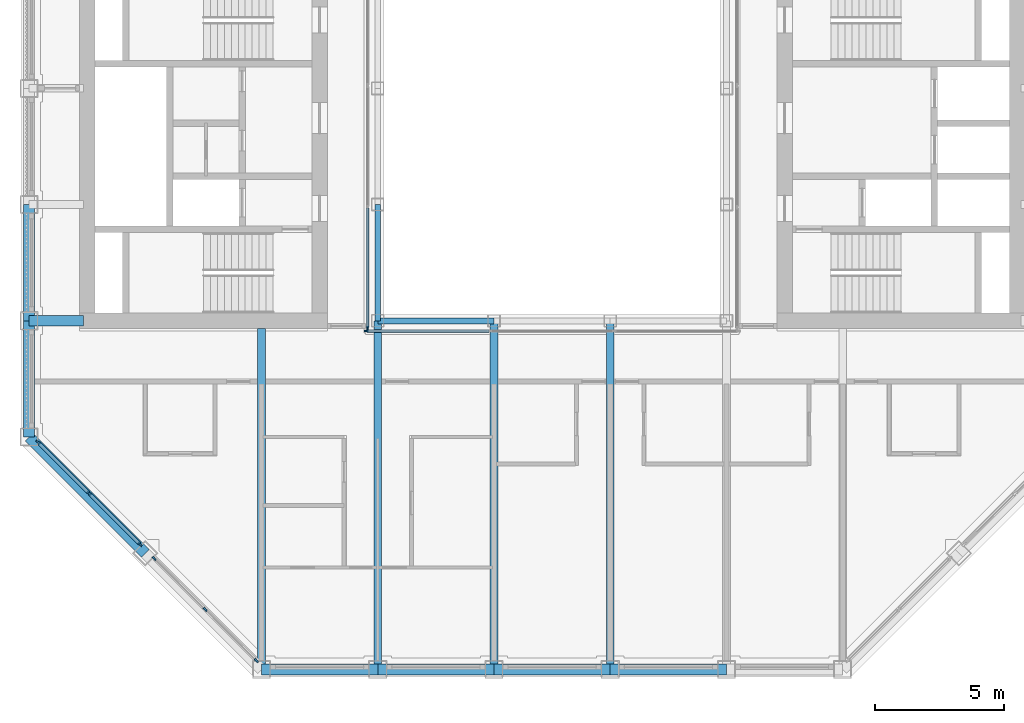
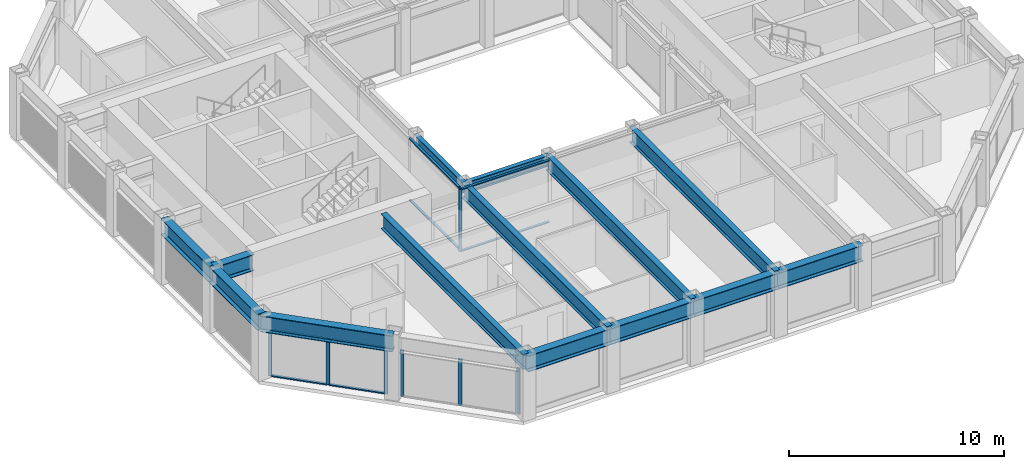
# One storey, part 2 of 18: 16 members, 14 beams, 4 elements without a shape of their own.
"""IFC4 building model written with IfcOpenShell, lengths in metres."""

from ifc_helpers import new_model, si_unit, direction, frame, origin, origin_2d, place, context, subcontext, project, spatial, rectangle, i_section, extrude, material, material_profile, profile_set, type_object, element, aggregate, save


model = new_model("IFC4")

# Units and contexts
model_context = context("Model", 3, precision=1e-05, world=origin(), true_north=direction((0.0, 1.0)))
body_context = subcontext(model_context, "Body", "Model", "MODEL_VIEW")
ifc_project = project(units=[si_unit("LENGTHUNIT", "METRE"), si_unit("AREAUNIT", "SQUARE_METRE"), si_unit("VOLUMEUNIT", "CUBIC_METRE"), si_unit("PLANEANGLEUNIT", "RADIAN"), si_unit("MASSUNIT", "GRAM", prefix="KILO")], contexts=[model_context])

# Site, building, storey
site_placement = place(None, origin())
site = spatial("IfcSite", under=ifc_project, at=site_placement, CompositionType="ELEMENT")
building_placement = place(site_placement, origin())
building = spatial("IfcBuilding", under=site, at=building_placement, Name="Msasa Ring Tower", CompositionType="ELEMENT")
storey_placement = place(building_placement, frame((0.0, 0.0, 227.050048828125)))
storey = spatial("IfcBuildingStorey", under=building, at=storey_placement, Name="L59", CompositionType="ELEMENT", Elevation=227.050048828125)

# Curtain wall, members
ifc_material_1 = material(Name="Aluminium curtain wall with clear glass", Category="aluminium")
curtain_wall_type_1 = type_object("IfcCurtainWallType", Name="CW-C CHAMFER CORNER CURTAIN WALL", PredefinedType="NOTDEFINED", material=ifc_material_1)
curtain_wall_1_placement = place(storey_placement, origin())
curtain_wall_1 = element("IfcCurtainWall", 1, at=curtain_wall_1_placement, inside=storey, type_object=curtain_wall_type_1, Name="Chamfer corner curtain wall SW L59", PredefinedType="NOTDEFINED")
ifc_material_2 = material(Name="Aluminium mullion", Category="aluminium")
ifc_material_profile_1 = material_profile(ifc_material_2, rectangle(XDim=0.06494140625, YDim=0.179931640625, at=origin_2d()), Name="AL 65x180")
ifc_profile_set_1 = profile_set([ifc_material_profile_1], Name="Aluminium mullion")
member_type_1 = type_object("IfcMemberType", Name="CW-C MULLION 65x180", PredefinedType="MULLION", material=ifc_profile_set_1)
member_1_placement = place(storey_placement, frame((-19.9052734375, -11.453369140625, 0.0), z_axis=(0.0, 0.0, 1.0), x_axis=(0.707106781187, 0.707106781187, 0.0)))
member_1 = element("IfcMember", 2, at=member_1_placement, type_object=member_type_1, Name="CW-C mullion 1", PredefinedType="MULLION", context=body_context, shape_type="SweptSolid", body=[
    extrude(rectangle(XDim=0.06494140625, YDim=0.179931640625, at=origin_2d()), origin(), (0.0, 0.0, 1.0), 2.62890625),
])
member_2_placement = place(storey_placement, frame((-17.92919921875, -13.42919921875, 0.0), z_axis=(0.0, 0.0, 1.0), x_axis=(0.707106781187, 0.707106781187, 0.0)))
member_2 = element("IfcMember", 3, at=member_2_placement, type_object=member_type_1, Name="CW-C mullion 2", PredefinedType="MULLION", context=body_context, shape_type="SweptSolid", body=[
    extrude(rectangle(XDim=0.06494140625, YDim=0.179931640625, at=origin_2d()), origin(), (0.0, 0.0, 1.0), 2.62890625),
])
member_3_placement = place(storey_placement, frame((-15.953369140625, -15.4052734375, 0.0), z_axis=(0.0, 0.0, 1.0), x_axis=(0.707106781187, 0.707106781187, 0.0)))
member_3 = element("IfcMember", 4, at=member_3_placement, type_object=member_type_1, Name="CW-C mullion 3", PredefinedType="MULLION", context=body_context, shape_type="SweptSolid", body=[
    extrude(rectangle(XDim=0.06494140625, YDim=0.179931640625, at=origin_2d()), origin(), (0.0, 0.0, 1.0), 2.62890625),
])

curtain_wall_2_placement = place(storey_placement, origin())
curtain_wall_2 = element("IfcCurtainWall", 5, at=curtain_wall_2_placement, inside=storey, type_object=curtain_wall_type_1, Name="Chamfer corner curtain wall SW L59", PredefinedType="NOTDEFINED")
member_4_placement = place(storey_placement, frame((-15.4052734375, -15.953369140625, 0.0), z_axis=(0.0, 0.0, 1.0), x_axis=(0.707106781187, 0.707106781187, 0.0)))
member_4 = element("IfcMember", 6, at=member_4_placement, type_object=member_type_1, Name="CW-C mullion 1", PredefinedType="MULLION", context=body_context, shape_type="SweptSolid", body=[
    extrude(rectangle(XDim=0.06494140625, YDim=0.179931640625, at=origin_2d()), origin(), (0.0, 0.0, 1.0), 2.62890625),
])
member_5_placement = place(storey_placement, frame((-13.42919921875, -17.92919921875, 0.0), z_axis=(0.0, 0.0, 1.0), x_axis=(0.707106781187, 0.707106781187, 0.0)))
member_5 = element("IfcMember", 7, at=member_5_placement, type_object=member_type_1, Name="CW-C mullion 2", PredefinedType="MULLION", context=body_context, shape_type="SweptSolid", body=[
    extrude(rectangle(XDim=0.06494140625, YDim=0.179931640625, at=origin_2d()), origin(), (0.0, 0.0, 1.0), 2.62890625),
])
member_6_placement = place(storey_placement, frame((-11.453369140625, -19.9052734375, 0.0), z_axis=(0.0, 0.0, 1.0), x_axis=(0.707106781187, 0.707106781187, 0.0)))
member_6 = element("IfcMember", 8, at=member_6_placement, type_object=member_type_1, Name="CW-C mullion 3", PredefinedType="MULLION", context=body_context, shape_type="SweptSolid", body=[
    extrude(rectangle(XDim=0.06494140625, YDim=0.179931640625, at=origin_2d()), origin(), (0.0, 0.0, 1.0), 2.62890625),
])
aggregate(curtain_wall_2, [member_4, member_5, member_6])

# Member
ifc_material_3 = material(Name="Aluminium transom", Category="aluminium")
ifc_material_profile_2 = material_profile(ifc_material_3, rectangle(XDim=0.139892578125, YDim=0.06494140625, at=origin_2d()), Name="AL 65x140")
ifc_profile_set_2 = profile_set([ifc_material_profile_2], Name="Aluminium transom")
member_type_2 = type_object("IfcMemberType", Name="CW-C TRANSOM 65x140", PredefinedType="USERDEFINED", material=ifc_profile_set_2)
member_7_placement = place(storey_placement, frame((-19.88232421875, -11.476318359375, 0.032470703125), z_axis=(0.707106781187, -0.707106781187, 0.0), x_axis=(0.707106781187, 0.707106781187, 0.0)))
member_7 = element("IfcMember", 9, at=member_7_placement, type_object=member_type_2, Name="CW-C transom 1.1", ObjectType="TRANSOM", PredefinedType="USERDEFINED", context=body_context, shape_type="SweptSolid", body=[
    extrude(rectangle(XDim=0.139892578125, YDim=0.06494140625, at=origin_2d()), origin(), (0.0, 0.0, 1.0), 2.729248046875),
])

member_8_placement = place(storey_placement, frame((-19.88232421875, -11.476318359375, 2.596435546875), z_axis=(0.707106781187, -0.707106781187, 0.0), x_axis=(0.707106781187, 0.707106781187, 0.0)))
member_8 = element("IfcMember", 10, at=member_8_placement, type_object=member_type_2, Name="CW-C transom 1.2", ObjectType="TRANSOM", PredefinedType="USERDEFINED", context=body_context, shape_type="SweptSolid", body=[
    extrude(rectangle(XDim=0.139892578125, YDim=0.06494140625, at=origin_2d()), origin(), (0.0, 0.0, 1.0), 2.729248046875),
])

member_9_placement = place(storey_placement, frame((-17.90625, -13.452392578125, 0.032470703125), z_axis=(0.707106781187, -0.707106781187, 0.0), x_axis=(0.707106781187, 0.707106781187, 0.0)))
member_9 = element("IfcMember", 11, at=member_9_placement, type_object=member_type_2, Name="CW-C transom 2.1", ObjectType="TRANSOM", PredefinedType="USERDEFINED", context=body_context, shape_type="SweptSolid", body=[
    extrude(rectangle(XDim=0.139892578125, YDim=0.06494140625, at=origin_2d()), origin(), (0.0, 0.0, 1.0), 2.729248046875),
])

member_10_placement = place(storey_placement, frame((-17.90625, -13.452392578125, 2.596435546875), z_axis=(0.707106781187, -0.707106781187, 0.0), x_axis=(0.707106781187, 0.707106781187, 0.0)))
member_10 = element("IfcMember", 12, at=member_10_placement, type_object=member_type_2, Name="CW-C transom 2.2", ObjectType="TRANSOM", PredefinedType="USERDEFINED", context=body_context, shape_type="SweptSolid", body=[
    extrude(rectangle(XDim=0.139892578125, YDim=0.06494140625, at=origin_2d()), origin(), (0.0, 0.0, 1.0), 2.729248046875),
])

aggregate(curtain_wall_1, [member_1, member_2, member_3, member_7, member_8, member_9, member_10])

# Curtain wall, member
ifc_material_4 = material(Name="Aluminium curtain wall with clear glass", Category="aluminium")
curtain_wall_type_2 = type_object("IfcCurtainWallType", Name="CW-W LIGHT WELL CURTAIN WALL", PredefinedType="NOTDEFINED", material=ifc_material_4)
curtain_wall_3_placement = place(storey_placement, origin())
curtain_wall_3 = element("IfcCurtainWall", 13, at=curtain_wall_3_placement, inside=storey, type_object=curtain_wall_type_2, Name="Light well curtain wall S L59", PredefinedType="NOTDEFINED")
ifc_material_5 = material(Name="Aluminium mullion", Category="aluminium")
ifc_material_profile_3 = material_profile(ifc_material_5, rectangle(XDim=0.06005859375, YDim=0.159912109375, at=origin_2d()), Name="AL 60x160")
ifc_profile_set_3 = profile_set([ifc_material_profile_3], Name="Aluminium mullion")
member_type_3 = type_object("IfcMemberType", Name="CW-W MULLION 60x160", PredefinedType="MULLION", material=ifc_profile_set_3)
member_11_placement = place(storey_placement, frame((-7.199951171875, -7.14990234375, 0.0), z_axis=(0.0, 0.0, 1.0), x_axis=(0.0, 1.0, 0.0)))
member_11 = element("IfcMember", 14, at=member_11_placement, type_object=member_type_3, Name="CW-W mullion 1", PredefinedType="MULLION", context=body_context, shape_type="SweptSolid", body=[
    extrude(rectangle(XDim=0.06005859375, YDim=0.159912109375, at=origin_2d()), origin(), (0.0, 0.0, 1.0), 3.550048828125),
])

curtain_wall_4_placement = place(storey_placement, origin())
curtain_wall_4 = element("IfcCurtainWall", 15, at=curtain_wall_4_placement, inside=storey, type_object=curtain_wall_type_2, Name="Light well curtain wall W L59", PredefinedType="NOTDEFINED")
member_12_placement = place(storey_placement, frame((-7.14990234375, -7.0400390625, 0.0), z_axis=(0.0, 0.0, 1.0), x_axis=(-1.0, 0.0, 0.0)))
member_12 = element("IfcMember", 16, at=member_12_placement, type_object=member_type_3, Name="CW-W mullion 1", PredefinedType="MULLION", context=body_context, shape_type="SweptSolid", body=[
    extrude(rectangle(XDim=0.06005859375, YDim=0.159912109375, at=origin_2d()), origin(), (0.0, 0.0, 1.0), 3.550048828125),
])

# Member
ifc_material_6 = material(Name="Aluminium transom", Category="aluminium")
ifc_material_profile_4 = material_profile(ifc_material_6, rectangle(XDim=0.1201171875, YDim=0.06005859375, at=origin_2d()), Name="AL 60x120")
ifc_profile_set_4 = profile_set([ifc_material_profile_4], Name="Aluminium transom")
member_type_4 = type_object("IfcMemberType", Name="CW-W TRANSOM 60x120", PredefinedType="USERDEFINED", material=ifc_profile_set_4)
member_13_placement = place(storey_placement, frame((-7.169921875, -7.14990234375, 0.030029296875), z_axis=(1.0, 0.0, 0.0), x_axis=(0.0, 1.0, 0.0)))
member_13 = element("IfcMember", 17, at=member_13_placement, type_object=member_type_4, Name="CW-W transom 1.1", ObjectType="TRANSOM", PredefinedType="USERDEFINED", context=body_context, shape_type="SweptSolid", body=[
    extrude(rectangle(XDim=0.1201171875, YDim=0.06005859375, at=origin_2d()), origin(), (0.0, 0.0, 1.0), 4.72998046875),
])

member_14_placement = place(storey_placement, frame((-7.169921875, -7.14990234375, 3.52001953125), z_axis=(1.0, 0.0, 0.0), x_axis=(0.0, 1.0, 0.0)))
member_14 = element("IfcMember", 18, at=member_14_placement, type_object=member_type_4, Name="CW-W transom 1.2", ObjectType="TRANSOM", PredefinedType="USERDEFINED", context=body_context, shape_type="SweptSolid", body=[
    extrude(rectangle(XDim=0.1201171875, YDim=0.06005859375, at=origin_2d()), origin(), (0.0, 0.0, 1.0), 4.72998046875),
])

aggregate(curtain_wall_3, [member_11, member_13, member_14])

member_15_placement = place(storey_placement, frame((-7.14990234375, -7.010009765625, 0.030029296875), z_axis=(0.0, 1.0, 0.0), x_axis=(-1.0, 0.0, 0.0)))
member_15 = element("IfcMember", 19, at=member_15_placement, type_object=member_type_4, Name="CW-W transom 1.1", ObjectType="TRANSOM", PredefinedType="USERDEFINED", context=body_context, shape_type="SweptSolid", body=[
    extrude(rectangle(XDim=0.1201171875, YDim=0.06005859375, at=origin_2d()), origin(), (0.0, 0.0, 1.0), 4.623291015625),
])

member_16_placement = place(storey_placement, frame((-7.14990234375, -7.010009765625, 3.52001953125), z_axis=(0.0, 1.0, 0.0), x_axis=(-1.0, 0.0, 0.0)))
member_16 = element("IfcMember", 20, at=member_16_placement, type_object=member_type_4, Name="CW-W transom 1.2", ObjectType="TRANSOM", PredefinedType="USERDEFINED", context=body_context, shape_type="SweptSolid", body=[
    extrude(rectangle(XDim=0.1201171875, YDim=0.06005859375, at=origin_2d()), origin(), (0.0, 0.0, 1.0), 4.623291015625),
])

aggregate(curtain_wall_4, [member_12, member_15, member_16])

# Beams
ifc_material_7 = material(Name="Steel S355", Category="steel")
ifc_material_profile_5 = material_profile(ifc_material_7, i_section(OverallWidth=0.293701171875, OverallDepth=0.850830078125, WebThickness=0.01611328125, FlangeThickness=0.02685546875, FilletRadius=0.017822265625, at=origin_2d()), Name="UB 838x292x226")
ifc_profile_set_5 = profile_set([ifc_material_profile_5], Name="Steel S355")
beam_type_1 = type_object("IfcBeamType", Name="FB5 UB 838x292x226", PredefinedType="BEAM", material=ifc_profile_set_5)
beam_1_placement = place(storey_placement, frame((-11.25, -20.25, 3.12451171875), z_axis=(0.0, 1.0, 0.0), x_axis=(-1.0, 0.0, 0.0)))
element("IfcBeam", 21, at=beam_1_placement, inside=storey, type_object=beam_type_1, Name="Floor beam S-11.25 under L60", PredefinedType="BEAM", context=body_context, shape_type="SweptSolid", body=[
    extrude(i_section(OverallWidth=0.293701171875, OverallDepth=0.850830078125, WebThickness=0.01611328125, FlangeThickness=0.02685546875, FilletRadius=0.017822265625, at=origin_2d()), origin(), (0.0, 0.0, 1.0), 13.199951171875),
])
for number, where, z_axis, x_axis, name in (
    (22, (-6.75, -20.25, 3.12451171875), (0.0, 1.0, 0.0), (-1.0, 0.0, 0.0), "Floor beam S-6.75 under L60"),
    (23, (-2.25, -20.25, 3.12451171875), (0.0, 1.0, 0.0), (-1.0, 0.0, 0.0), "Floor beam S-2.25 under L60"),
    (24, (2.25, -20.25, 3.12451171875), (0.0, 1.0, 0.0), (-1.0, 0.0, 0.0), "Floor beam S+2.25 under L60"),
):
    element("IfcBeam", number, at=place(storey_placement, frame(where, z_axis=z_axis, x_axis=x_axis)), inside=storey, type_object=beam_type_1, Name=name, PredefinedType="BEAM", context=body_context, shape_type="SweptSolid", body=[
        extrude(i_section(OverallWidth=0.293701171875, OverallDepth=0.850830078125, WebThickness=0.01611328125, FlangeThickness=0.02685546875, FilletRadius=0.017822265625, at=origin_2d()), origin(), (0.0, 0.0, 1.0), 13.5),
    ])
ifc_material_8 = material(Name="Steel S355", Category="steel")
ifc_material_profile_6 = material_profile(ifc_material_8, i_section(OverallWidth=0.42041015625, OverallDepth=0.9208984375, WebThickness=0.021484375, FlangeThickness=0.03662109375, FilletRadius=0.024169921875, at=origin_2d()), Name="UB 914x419x388")
ifc_profile_set_6 = profile_set([ifc_material_profile_6], Name="Steel S355")
beam_type_2 = type_object("IfcBeamType", Name="GB1 UB 914x419x388", PredefinedType="BEAM", material=ifc_profile_set_6)
beam_2_placement = place(storey_placement, frame((-18.14990234375, -6.75, 3.08935546875), z_axis=(-1.0, 0.0, 0.0), x_axis=(0.0, -1.0, 0.0)))
element("IfcBeam", 25, at=beam_2_placement, inside=storey, type_object=beam_type_2, Name="Girder W -6.75 under L60", PredefinedType="BEAM", context=body_context, shape_type="SweptSolid", body=[
    extrude(i_section(OverallWidth=0.42041015625, OverallDepth=0.9208984375, WebThickness=0.021484375, FlangeThickness=0.03662109375, FilletRadius=0.024169921875, at=origin_2d()), origin(), (0.0, 0.0, 1.0), 2.10009765625),
])
ifc_material_9 = material(Name="Steel S355", Category="steel")
ifc_material_profile_7 = material_profile(ifc_material_9, i_section(OverallWidth=0.230224609375, OverallDepth=0.6171875, WebThickness=0.01318359375, FlangeThickness=0.022216796875, FilletRadius=0.0126953125, at=origin_2d()), Name="UB 610x229x140")
ifc_profile_set_7 = profile_set([ifc_material_profile_7], Name="Steel S355")
beam_type_3 = type_object("IfcBeamType", Name="RB1 UB 610x229x140", PredefinedType="BEAM", material=ifc_profile_set_7)
for number, where, z_axis, x_axis, name in (
    (26, (-6.75, -2.25, 3.241455078125), (0.0, -1.0, 0.0), (1.0, 0.0, 0.0), "Inner ring beam IR-6.75-2.25 under L60"),
    (27, (-6.75, -6.75, 3.241455078125), (1.0, 0.0, 0.0), (0.0, 1.0, 0.0), "Inner ring beam IR-6.75-6.75 under L60"),
):
    element("IfcBeam", number, at=place(storey_placement, frame(where, z_axis=z_axis, x_axis=x_axis)), inside=storey, type_object=beam_type_3, Name=name, PredefinedType="BEAM", context=body_context, shape_type="SweptSolid", body=[
        extrude(i_section(OverallWidth=0.230224609375, OverallDepth=0.6171875, WebThickness=0.01318359375, FlangeThickness=0.022216796875, FilletRadius=0.0126953125, at=origin_2d()), origin(), (0.0, 0.0, 1.0), 4.5),
    ])
ifc_material_10 = material(Name="Steel S355", Category="steel")
ifc_material_profile_8 = material_profile(ifc_material_10, i_section(OverallWidth=0.42041015625, OverallDepth=0.9208984375, WebThickness=0.021484375, FlangeThickness=0.03662109375, FilletRadius=0.024169921875, at=origin_2d()), Name="UB 914x419x388")
ifc_profile_set_8 = profile_set([ifc_material_profile_8], Name="Steel S355")
beam_type_4 = type_object("IfcBeamType", Name="SB1 UB 914x419x388", PredefinedType="SPANDREL", material=ifc_profile_set_8)
for number, where, z_axis, x_axis, name in (
    (28, (-20.25, -2.25, 3.08935546875), (0.0, -1.0, 0.0), (1.0, 0.0, 0.0), "Spandrel W-2.25 to W-6.75 under L60"),
    (29, (-20.25, -6.75, 3.08935546875), (0.0, -1.0, 0.0), (1.0, 0.0, 0.0), "Spandrel W-6.75 to W-11.25 under L60"),
):
    element("IfcBeam", number, at=place(storey_placement, frame(where, z_axis=z_axis, x_axis=x_axis)), inside=storey, type_object=beam_type_4, Name=name, PredefinedType="SPANDREL", context=body_context, shape_type="SweptSolid", body=[
        extrude(i_section(OverallWidth=0.42041015625, OverallDepth=0.9208984375, WebThickness=0.021484375, FlangeThickness=0.03662109375, FilletRadius=0.024169921875, at=origin_2d()), origin(), (0.0, 0.0, 1.0), 4.5),
    ])
beam_3_placement = place(storey_placement, frame((-20.25, -11.25, 3.08935546875), z_axis=(0.707106781187, -0.707106781187, 0.0), x_axis=(0.707106781187, 0.707106781187, 0.0)))
element("IfcBeam", 30, at=beam_3_placement, inside=storey, type_object=beam_type_4, Name="Spandrel W-11.25 to SW under L60", PredefinedType="SPANDREL", context=body_context, shape_type="SweptSolid", body=[
    extrude(i_section(OverallWidth=0.42041015625, OverallDepth=0.9208984375, WebThickness=0.021484375, FlangeThickness=0.03662109375, FilletRadius=0.024169921875, at=origin_2d()), origin(), (0.0, 0.0, 1.0), 6.364013671875),
])
for number, where, z_axis, x_axis, name in (
    (31, (-11.25, -20.25, 3.08935546875), (1.0, 0.0, 0.0), (0.0, 1.0, 0.0), "Spandrel S-11.25 to S-6.75 under L60"),
    (32, (-6.75, -20.25, 3.08935546875), (1.0, 0.0, 0.0), (0.0, 1.0, 0.0), "Spandrel S-6.75 to S-2.25 under L60"),
    (33, (-2.25, -20.25, 3.08935546875), (1.0, 0.0, 0.0), (0.0, 1.0, 0.0), "Spandrel S-2.25 to S+2.25 under L60"),
    (34, (2.25, -20.25, 3.08935546875), (1.0, 0.0, 0.0), (0.0, 1.0, 0.0), "Spandrel S+2.25 to S+6.75 under L60"),
):
    element("IfcBeam", number, at=place(storey_placement, frame(where, z_axis=z_axis, x_axis=x_axis)), inside=storey, type_object=beam_type_4, Name=name, PredefinedType="SPANDREL", context=body_context, shape_type="SweptSolid", body=[
        extrude(i_section(OverallWidth=0.42041015625, OverallDepth=0.9208984375, WebThickness=0.021484375, FlangeThickness=0.03662109375, FilletRadius=0.024169921875, at=origin_2d()), origin(), (0.0, 0.0, 1.0), 4.5),
    ])

save(model, "model.ifc")
